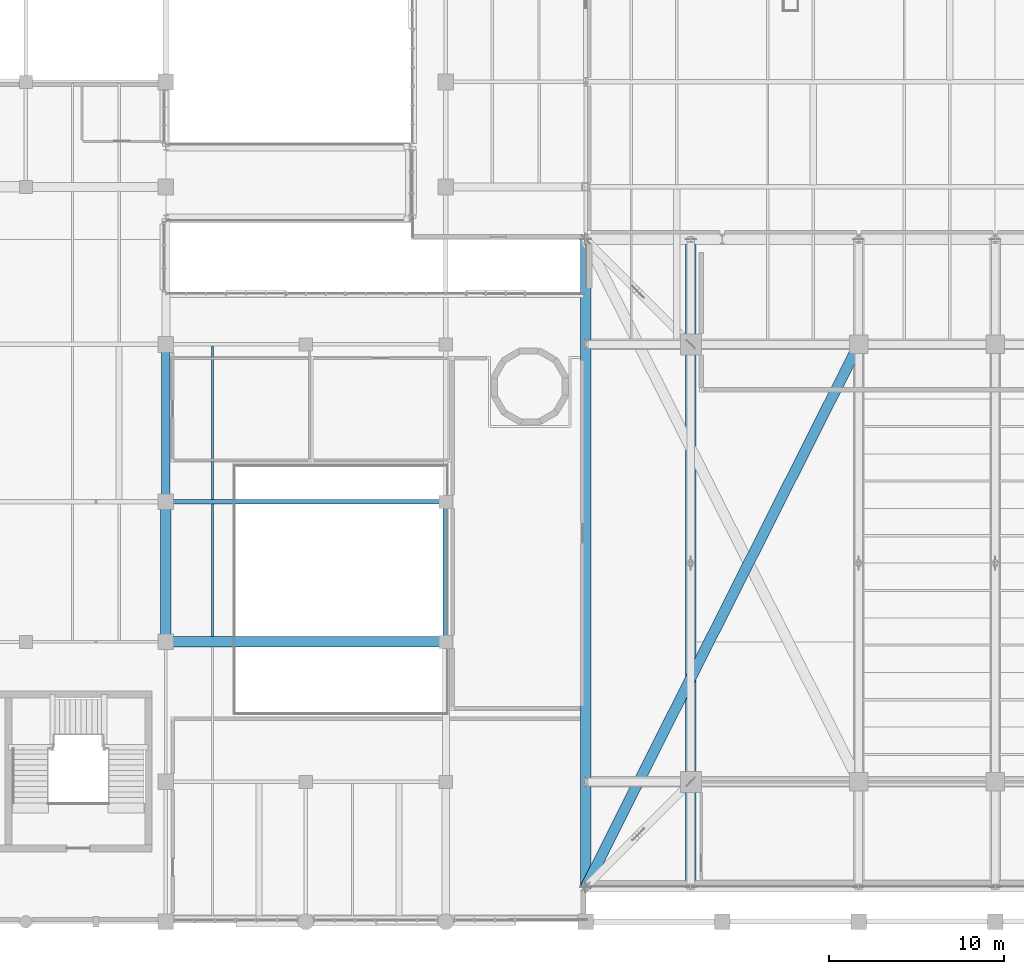
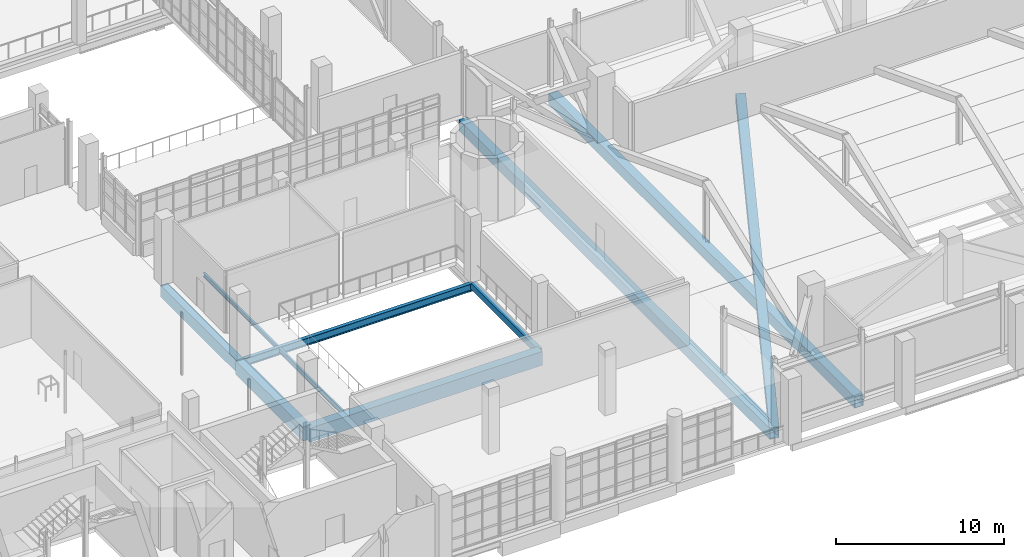
# One storey, part 24 of 127: 10 beams.
"""IFC4 building model written with IfcOpenShell, lengths in metres."""

from ifc_helpers import new_model, si_unit, derived_unit, direction, frame, origin, origin_2d, place, context, subcontext, project, spatial, rectangle, hollow_rectangle, i_section, extrude, material, material_profile, profile_set, type_object, element, save


model = new_model("IFC4")

# Units and contexts
model_context = context("Model", 3, precision=1e-05, world=origin(), true_north=direction((0.0, 1.0)))
body_context = subcontext(model_context, "Body", "Model", "MODEL_VIEW")
ifc_project = project(units=[si_unit("LENGTHUNIT", "METRE"), si_unit("AREAUNIT", "SQUARE_METRE"), si_unit("VOLUMEUNIT", "CUBIC_METRE"), si_unit("PLANEANGLEUNIT", "RADIAN"), si_unit("MASSUNIT", "GRAM", prefix="KILO"), derived_unit("THERMALTRANSMITTANCEUNIT", [(si_unit("POWERUNIT", "WATT"), 1), (si_unit("LENGTHUNIT", "METRE"), -2), (si_unit("THERMODYNAMICTEMPERATUREUNIT", "KELVIN"), -1)])], contexts=[model_context])

# Site, building, storey
site_placement = place(None, origin())
site = spatial("IfcSite", under=ifc_project, at=site_placement, CompositionType="ELEMENT")
building_placement = place(site_placement, origin())
building = spatial("IfcBuilding", under=site, at=building_placement, Name="Nallur Shell Playhouse", CompositionType="ELEMENT")
storey_placement = place(building_placement, frame((0.0, 0.0, 5.39990234375)))
storey = spatial("IfcBuildingStorey", under=building, at=storey_placement, Name="L02", CompositionType="ELEMENT", Elevation=5.39990234375)

# Beams
ifc_material_1 = material(Name="Steel E250", Category="steel")
ifc_material_profile_1 = material_profile(ifc_material_1, i_section(OverallWidth=0.139892578125, OverallDepth=0.300048828125, WebThickness=0.0078125, FlangeThickness=0.01318359375, FilletRadius=0.013916015625, at=origin_2d()), Name="ISMB 300")
ifc_profile_set_1 = profile_set([ifc_material_profile_1], Name="Steel E250")
beam_type_1 = type_object("IfcBeamType", Name="BM-JST-ISMB300", PredefinedType="JOIST", material=ifc_profile_set_1)
beam_1_placement = place(storey_placement, frame((42.666748046875, 32.123046875, -0.429931640625), z_axis=(0.0, 1.0, 0.0), x_axis=(-1.0, 0.0, 0.0)))
element("IfcBeam", 1, at=beam_1_placement, inside=storey, type_object=beam_type_1, Name="L02 secondary joist 5-D-513", PredefinedType="JOIST", context=body_context, shape_type="SweptSolid", body=[
    extrude(i_section(OverallWidth=0.139892578125, OverallDepth=0.300048828125, WebThickness=0.0078125, FlangeThickness=0.01318359375, FilletRadius=0.013916015625, at=origin_2d()), origin(), (0.0, 0.0, 1.0), 8.779052734375),
])
ifc_material_profile_2 = material_profile(ifc_material_1, i_section(OverallWidth=0.139892578125, OverallDepth=0.35009765625, WebThickness=0.008056640625, FlangeThickness=0.01416015625, FilletRadius=0.013916015625, at=origin_2d()), Name="ISMB 350")
ifc_profile_set_2 = profile_set([ifc_material_profile_2], Name="Steel E250")
beam_type_2 = type_object("IfcBeamType", Name="BM-JST-ISMB350", PredefinedType="JOIST", material=ifc_profile_set_2)
beam_2_placement = place(storey_placement, frame((42.666748046875, 24.298095703125, -0.454833984375), z_axis=(0.0, 1.0, 0.0), x_axis=(-1.0, 0.0, 0.0)))
element("IfcBeam", 2, at=beam_2_placement, inside=storey, type_object=beam_type_2, Name="L02 secondary joist 5-C-512", PredefinedType="JOIST", context=body_context, shape_type="SweptSolid", body=[
    extrude(i_section(OverallWidth=0.139892578125, OverallDepth=0.35009765625, WebThickness=0.008056640625, FlangeThickness=0.01416015625, FilletRadius=0.013916015625, at=origin_2d()), origin(), (0.0, 0.0, 1.0), 7.578857421875),
])
ifc_material_2 = material(Name="Concrete M40", Category="concrete")
ifc_material_profile_3 = material_profile(ifc_material_2, rectangle(XDim=0.5, YDim=0.85009765625, at=origin_2d()), Name="RC 500x850")
ifc_profile_set_3 = profile_set([ifc_material_profile_3], Name="Concrete M40")
beam_type_3 = type_object("IfcBeamType", Name="BM-RC-500x850", PredefinedType="BEAM", material=ifc_profile_set_3)
beam_3_placement = place(storey_placement, frame((40.0, 32.0, -0.704833984375), z_axis=(0.0, 1.0, 0.0), x_axis=(-1.0, 0.0, 0.0)))
element("IfcBeam", 3, at=beam_3_placement, inside=storey, type_object=beam_type_3, Name="L02 girder Y-5-413", PredefinedType="BEAM", context=body_context, shape_type="SweptSolid", body=[
    extrude(rectangle(XDim=0.5, YDim=0.85009765625, at=origin_2d()), origin(), (0.0, 0.0, 1.0), 9.0),
])
ifc_material_profile_4 = material_profile(ifc_material_2, rectangle(XDim=0.60009765625, YDim=1.0, at=origin_2d()), Name="RC 600x1000")
ifc_profile_set_4 = profile_set([ifc_material_profile_4], Name="Concrete M40")
beam_type_4 = type_object("IfcBeamType", Name="BM-RC-600x1000", PredefinedType="BEAM", material=ifc_profile_set_4)
beam_4_placement = place(storey_placement, frame((40.0, 24.0, -0.77978515625), z_axis=(1.0, 0.0, 0.0), x_axis=(0.0, 1.0, 0.0)))
element("IfcBeam", 4, at=beam_4_placement, inside=storey, type_object=beam_type_4, Name="L02 girder X-C-332", PredefinedType="BEAM", context=body_context, shape_type="SweptSolid", body=[
    extrude(rectangle(XDim=0.60009765625, YDim=1.0, at=origin_2d()), origin(), (0.0, 0.0, 1.0), 16.0),
])
beam_5_placement = place(storey_placement, frame((40.0, 24.0, -0.77978515625), z_axis=(0.0, 1.0, 0.0), x_axis=(-1.0, 0.0, 0.0)))
element("IfcBeam", 5, at=beam_5_placement, inside=storey, type_object=beam_type_4, Name="L02 girder Y-5-412", PredefinedType="BEAM", context=body_context, shape_type="SweptSolid", body=[
    extrude(rectangle(XDim=0.60009765625, YDim=1.0, at=origin_2d()), origin(), (0.0, 0.0, 1.0), 8.0),
])
ifc_material_3 = material(Name="Concrete M35", Category="concrete")
ifc_material_profile_5 = material_profile(ifc_material_3, rectangle(XDim=0.300048828125, YDim=0.449951171875, at=origin_2d()), Name="RC 300x450")
ifc_profile_set_5 = profile_set([ifc_material_profile_5], Name="Concrete M35")
beam_type_5 = type_object("IfcBeamType", Name="BM-SPN-300x450", PredefinedType="SPANDREL", material=ifc_profile_set_5)
beam_6_placement = place(storey_placement, frame((56.0, 24.0, -0.5048828125), z_axis=(0.0, 1.0, 0.0), x_axis=(-1.0, 0.0, 0.0)))
element("IfcBeam", 6, at=beam_6_placement, inside=storey, type_object=beam_type_5, Name="L02 girder Y-7-432", PredefinedType="SPANDREL", context=body_context, shape_type="SweptSolid", body=[
    extrude(rectangle(XDim=0.300048828125, YDim=0.449951171875, at=origin_2d()), origin(), (0.0, 0.0, 1.0), 8.0),
])
ifc_material_4 = material(Name="Steel E350", Category="steel")
ifc_material_profile_6 = material_profile(ifc_material_4, i_section(OverallWidth=0.25, OverallDepth=0.550048828125, WebThickness=0.010498046875, FlangeThickness=0.017578125, FilletRadius=0.01611328125, at=origin_2d()), Name="ISWB 550")
ifc_profile_set_6 = profile_set([ifc_material_profile_6], Name="Steel E350")
beam_type_6 = type_object("IfcBeamType", Name="BM-ST-ISWB550", PredefinedType="BEAM", material=ifc_profile_set_6)
beam_7_placement = place(storey_placement, frame((40.0, 32.0, -0.554931640625), z_axis=(1.0, 0.0, 0.0), x_axis=(0.0, 1.0, 0.0)))
element("IfcBeam", 7, at=beam_7_placement, inside=storey, type_object=beam_type_6, Name="L02 girder X-D-338", PredefinedType="BEAM", context=body_context, shape_type="SweptSolid", body=[
    extrude(i_section(OverallWidth=0.25, OverallDepth=0.550048828125, WebThickness=0.010498046875, FlangeThickness=0.017578125, FilletRadius=0.01611328125, at=origin_2d()), origin(), (0.0, 0.0, 1.0), 16.0),
])
ifc_material_profile_7 = material_profile(ifc_material_4, hollow_rectangle(XDim=0.60009765625, YDim=0.800048828125, WallThickness=0.02490234375, at=origin_2d()), Name="BOX 600x800x25")
ifc_profile_set_7 = profile_set([ifc_material_profile_7], Name="Steel E350")
beam_type_7 = type_object("IfcBeamType", Name="BM-TT-CHORD", PredefinedType="BEAM", material=ifc_profile_set_7)
beam_8_placement = place(storey_placement, frame((70.0, 10.298095703125, -0.679931640625), z_axis=(0.0, 1.0, 0.0), x_axis=(-1.0, 0.0, 0.0)))
element("IfcBeam", 8, at=beam_8_placement, inside=storey, type_object=beam_type_7, Name="Transfer truss TT-3 bottom chord 1", PredefinedType="BEAM", context=body_context, shape_type="SweptSolid", body=[
    extrude(hollow_rectangle(XDim=0.60009765625, YDim=0.800048828125, WallThickness=0.02490234375, at=origin_2d()), origin(), (0.0, 0.0, 1.0), 36.40380859375),
])
beam_9_placement = place(storey_placement, frame((79.60009765625, 41.0, -0.679931640625), z_axis=(-0.449519572616, -0.893270481901, 0.0), x_axis=(0.893270481901, -0.449519572616, 0.0)))
element("IfcBeam", 9, at=beam_9_placement, inside=storey, type_object=beam_type_7, Name="Corner transfer TTC-SW bottom chord", PredefinedType="BEAM", context=body_context, shape_type="SweptSolid", body=[
    extrude(hollow_rectangle(XDim=0.60009765625, YDim=0.800048828125, WallThickness=0.02490234375, at=origin_2d()), origin(), (0.0, 0.0, 1.0), 34.703857421875),
])
beam_10_placement = place(storey_placement, frame((64.0, 10.0, -0.679931640625), z_axis=(0.0, 1.0, 0.0), x_axis=(-1.0, 0.0, 0.0)))
element("IfcBeam", 10, at=beam_10_placement, inside=storey, type_object=beam_type_7, Name="Gold box perimeter chord L02-W1", PredefinedType="BEAM", context=body_context, shape_type="SweptSolid", body=[
    extrude(hollow_rectangle(XDim=0.60009765625, YDim=0.800048828125, WallThickness=0.02490234375, at=origin_2d()), origin(), (0.0, 0.0, 1.0), 37.0),
])

save(model, "model.ifc")
